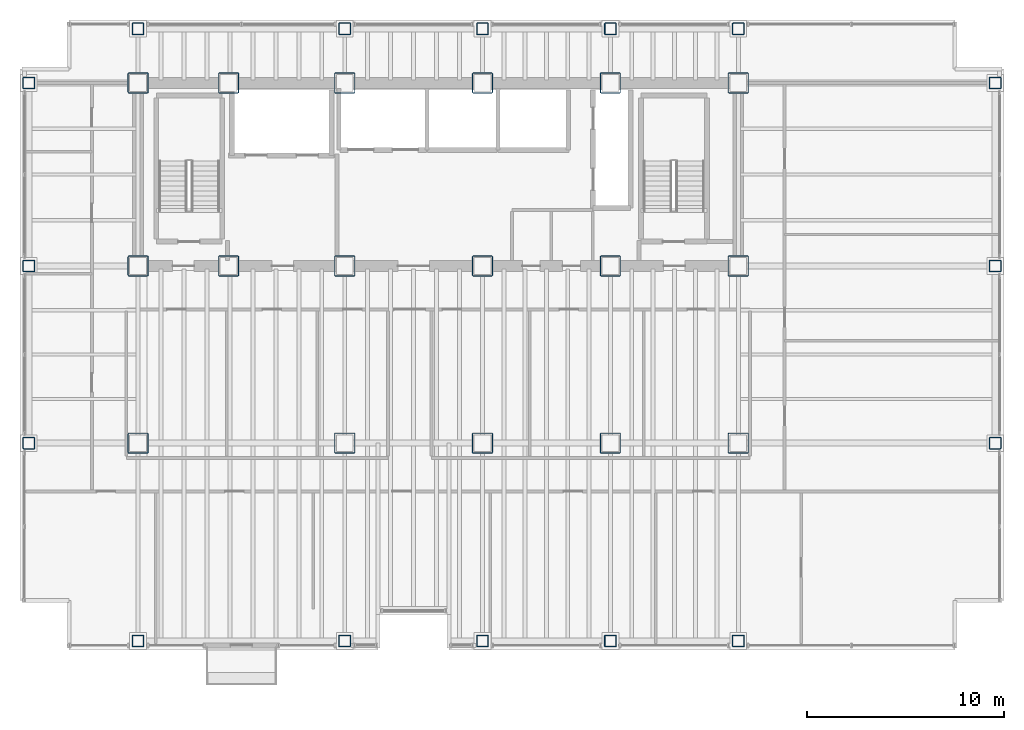
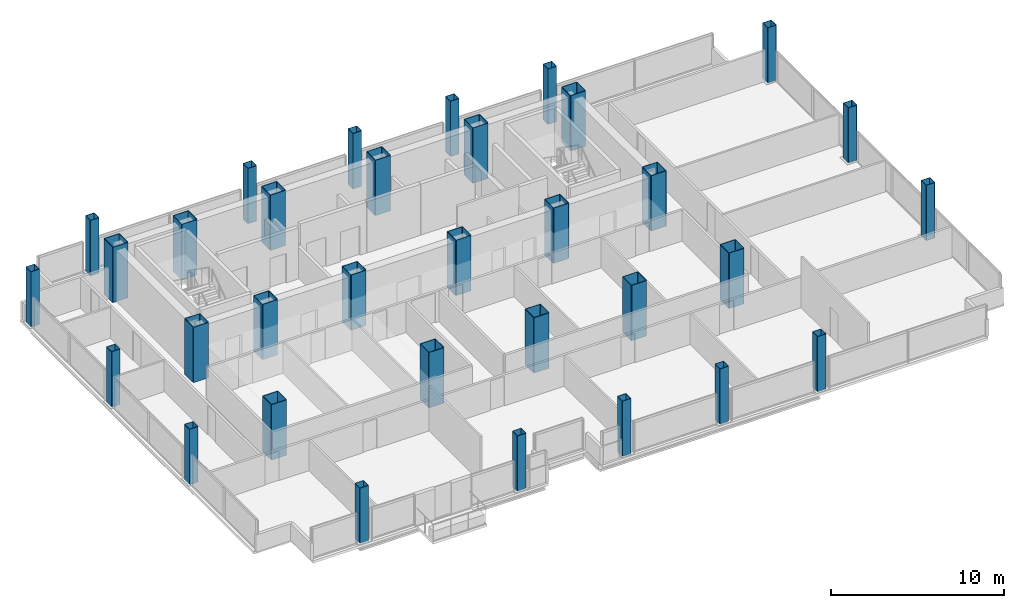
# One storey, part 1 of 21: 33 columns.
"""IFC4 building model written with IfcOpenShell, lengths in metres."""

import ifcopenshell
import ifcopenshell.guid

model = None  # the IFC model being written
_history = None  # IfcOwnerHistory: only IFC2X3 demands one
_inside = {}  # id of a spatial element -> (the spatial element, [elements in it])
_under = {}  # id of a project, library or spatial element -> (it, [spatial elements below it])
_declared = {}  # id of a project -> (the project, [libraries it declares])
_typed = {}  # id of a type object -> (the type object, [elements of that type])
_made_of = {}  # id of a material, layer set ... -> (it, [elements and type objects made of it])


def new_model(schema):
    """Start an empty IFC model of exactly this schema.

    Asked for "IFC4X3", IfcOpenShell would pick the latest addendum, in which some entities
    have other attributes; the version numbers below select the first issue.
    IFC2X3 requires an IfcOwnerHistory on every rooted entity: one is made here for all.
    """
    global model, _history
    if schema == "IFC4X3":
        model = ifcopenshell.file(schema_version=(4, 3, 0, 0))
    else:
        model = ifcopenshell.file(schema=schema)
    _inside.clear()
    _under.clear()
    _declared.clear()
    _typed.clear()
    _made_of.clear()
    _history = None
    if model.schema == "IFC2X3":
        org = make("IfcOrganization", Name="unknown")
        user = make(
            "IfcPersonAndOrganization",
            ThePerson=make("IfcPerson", FamilyName="unknown"),
            TheOrganization=org,
        )
        app = make(
            "IfcApplication",
            ApplicationDeveloper=org,
            Version="unknown",
            ApplicationFullName="unknown",
            ApplicationIdentifier="unknown",
        )
        _history = make(
            "IfcOwnerHistory",
            OwningUser=user,
            OwningApplication=app,
            ChangeAction="ADDED",
            CreationDate=0,
        )
    return model


def make(cls, **values):
    """One entity of the class cls with the attributes given. An attribute that is None is left unset."""
    return model.create_entity(
        cls, **{name: value for name, value in values.items() if value is not None}
    )


def rooted(cls, **values):
    """An entity with a GlobalId (a new one), such as an element, a storey or a relation."""
    return make(cls, GlobalId=ifcopenshell.guid.new(), OwnerHistory=_history, **values)


def si_unit(unit_type, name, prefix=None):
    """IfcSIUnit, for example si_unit("LENGTHUNIT", "METRE", prefix="MILLI")."""
    return make("IfcSIUnit", UnitType=unit_type, Prefix=prefix, Name=name)


def assignment(units):
    """IfcUnitAssignment: the units of a project."""
    return None if units is None else make("IfcUnitAssignment", Units=units)


def point(xyz):
    """IfcCartesianPoint."""
    return None if xyz is None else make("IfcCartesianPoint", Coordinates=xyz)


def direction(xyz):
    """IfcDirection."""
    return None if xyz is None else make("IfcDirection", DirectionRatios=xyz)


def frame(location, z_axis=None, x_axis=None):
    """IfcAxis2Placement3D, a coordinate frame: its origin and axes. An axis left out is left unset."""
    return make(
        "IfcAxis2Placement3D",
        Location=point(location),
        Axis=direction(z_axis),
        RefDirection=direction(x_axis),
    )


def frame_2d(location, x_axis=None):
    """IfcAxis2Placement2D, a coordinate frame in the plane: its origin and x axis."""
    return make(
        "IfcAxis2Placement2D", Location=point(location), RefDirection=direction(x_axis)
    )


def origin():
    """The frame at (0, 0, 0) with its axes left unset."""
    return frame((0.0, 0.0, 0.0))


def origin_2d():
    """The frame at (0, 0) in the plane with its x axis left unset."""
    return frame_2d((0.0, 0.0))


def place(relative_to, where):
    """IfcLocalPlacement: puts the frame where relative to a parent placement (None: the world)."""
    return make(
        "IfcLocalPlacement", PlacementRelTo=relative_to, RelativePlacement=where
    )


def context(
    kind, dimensions, precision=None, world=None, true_north=None, identifier=None
):
    """IfcGeometricRepresentationContext, for example the 3D "Model" context."""
    return make(
        "IfcGeometricRepresentationContext",
        ContextIdentifier=identifier,
        ContextType=kind,
        CoordinateSpaceDimension=dimensions,
        Precision=precision,
        WorldCoordinateSystem=world,
        TrueNorth=true_north,
    )


def subcontext(parent, identifier, kind, view, scale=None):
    """IfcGeometricRepresentationSubContext, for example "Body" below "Model"."""
    return make(
        "IfcGeometricRepresentationSubContext",
        ContextIdentifier=identifier,
        ContextType=kind,
        ParentContext=parent,
        TargetScale=scale,
        TargetView=view,
    )


def project(units=None, contexts=None):
    """IfcProject with its units and contexts."""
    return rooted(
        "IfcProject",
        Name="project",
        RepresentationContexts=contexts,
        UnitsInContext=assignment(units),
    )


def spatial(cls, under=None, at=None, **own):
    """A site, building, storey or space (cls), placed at a placement, below another one or the project."""
    s = rooted(cls, ObjectPlacement=at, **own)
    if under is not None:
        _under.setdefault(under.id(), (under, []))[1].append(s)
    return s


def profile(cls, at=None, kind="AREA", **sizes):
    """A parametric profile (cls). Its sizes go by their IFC names, for example OverallWidth=200.0."""
    return make(cls, ProfileType=kind, Position=at, **sizes)


def hollow_rectangle(**sizes):
    """IfcRectangleHollowProfileDef."""
    return profile("IfcRectangleHollowProfileDef", **sizes)


def extrude(swept, where, along, depth):
    """IfcExtrudedAreaSolid: the profile swept, set in the frame where, extruded along a direction by depth."""
    return make(
        "IfcExtrudedAreaSolid",
        SweptArea=swept,
        Position=where,
        ExtrudedDirection=direction(along),
        Depth=depth,
    )


def shape(context_of_items, identifier, shape_type, items):
    """IfcShapeRepresentation: the items that make up one representation, for example the "Body"."""
    return make(
        "IfcShapeRepresentation",
        ContextOfItems=context_of_items,
        RepresentationIdentifier=identifier,
        RepresentationType=shape_type,
        Items=items,
    )


def material(Name=None, Category=None):
    """IfcMaterial."""
    return make("IfcMaterial", Name=Name, Category=Category)


def material_profile(
    of_material, cross_section, Name=None, Category=None, Priority=None
):
    """IfcMaterialProfile: a cross section and its material."""
    return make(
        "IfcMaterialProfile",
        Name=Name,
        Material=of_material,
        Profile=cross_section,
        Priority=Priority,
        Category=Category,
    )


def profile_set(profiles, Name=None, composite=None):
    """IfcMaterialProfileSet."""
    return make(
        "IfcMaterialProfileSet",
        Name=Name,
        MaterialProfiles=profiles,
        CompositeProfile=composite,
    )


def made_of(thing, what):
    """Note that an element or type object is made of a material, layer set ...; save() writes the relation."""
    if what is not None:
        _made_of.setdefault(what.id(), (what, []))[1].append(thing)
    return thing


def type_object(cls, material=None, **own):
    """A type object (cls), such as IfcWallType, which elements share."""
    return made_of(rooted(cls, **own), material)


def element(
    cls,
    number,
    at=None,
    inside=None,
    cuts=None,
    type_object=None,
    material=None,
    context=None,
    identifier="Body",
    shape_type=None,
    held_by="IfcProductDefinitionShape",
    body=None,
    shapes=None,
    **own,
):
    """One element of the class cls, such as IfcWall. Its Tag is "e" and its number.

    at: its placement. inside: the storey or other place that contains it. cuts: it is an
    opening in that element (IfcRelVoidsElement). A single representation is given by context,
    identifier, shape_type and body (its items); several are given by shapes. held_by: the class
    of the entity that holds the representations. save() writes the other relations.
    """
    e = rooted(cls, Tag="e%d" % number, ObjectPlacement=at, **own)
    if body is not None:
        shapes = [shape(context, identifier, shape_type, body)]
    if shapes is not None:
        e.Representation = make(held_by, Representations=shapes)
    if inside is not None:
        _inside.setdefault(inside.id(), (inside, []))[1].append(e)
    if cuts is not None:
        rooted(
            "IfcRelVoidsElement", RelatingBuildingElement=cuts, RelatedOpeningElement=e
        )
    if type_object is not None:
        _typed.setdefault(type_object.id(), (type_object, []))[1].append(e)
    return made_of(e, material)


def aggregate(whole, parts):
    """IfcRelAggregates: a whole, such as a stair, and the parts it consists of."""
    return rooted("IfcRelAggregates", RelatingObject=whole, RelatedObjects=parts)


def save(model, path):
    """Write the relations noted so far, then the file.

    IfcRelAggregates (storeys below a building ...), IfcRelContainedInSpatialStructure (elements
    in a storey), IfcRelDefinesByType, IfcRelAssociatesMaterial and IfcRelDeclares: one each for
    every whole, place, type object, material and project.
    """
    for whole, parts in _under.values():
        aggregate(whole, parts)
    for where, things in _inside.values():
        rooted(
            "IfcRelContainedInSpatialStructure",
            RelatedElements=things,
            RelatingStructure=where,
        )
    for kind, things in _typed.values():
        rooted("IfcRelDefinesByType", RelatedObjects=things, RelatingType=kind)
    for what, things in _made_of.values():
        rooted("IfcRelAssociatesMaterial", RelatedObjects=things, RelatingMaterial=what)
    for by, libraries in _declared.values():
        rooted("IfcRelDeclares", RelatingContext=by, RelatedDefinitions=libraries)
    model.write(path)


model = new_model("IFC4")

# Units and contexts
model_context = context("Model", 3, precision=1e-05, world=origin(), true_north=direction((0.0, 1.0)))
body_context = subcontext(model_context, "Body", "Model", "MODEL_VIEW")
ifc_project = project(units=[si_unit("LENGTHUNIT", "METRE"), si_unit("AREAUNIT", "SQUARE_METRE"), si_unit("VOLUMEUNIT", "CUBIC_METRE"), si_unit("PLANEANGLEUNIT", "RADIAN"), si_unit("MASSUNIT", "GRAM", prefix="KILO")], contexts=[model_context])

# Site, building, storey
site_placement = place(None, origin())
site = spatial("IfcSite", under=ifc_project, at=site_placement, CompositionType="ELEMENT")
building_placement = place(site_placement, origin())
building = spatial("IfcBuilding", under=site, at=building_placement, Name="Noeulbin Bourse Tower", CompositionType="ELEMENT")
storey_placement = place(building_placement, frame((0.0, 0.0, 96.699951171875)))
storey = spatial("IfcBuildingStorey", under=building, at=storey_placement, Name="L24", CompositionType="ELEMENT", Elevation=96.699951171875)

# Columns
ifc_material = material(Name="Steel S460", Category="steel")
ifc_material_profile_1 = material_profile(ifc_material, hollow_rectangle(XDim=0.60009765625, YDim=0.60009765625, WallThickness=0.02587890625, InnerFilletRadius=0.012939453125, OuterFilletRadius=0.0390625, at=origin_2d()), Name="BOX-600x600x26", Category="LoadBearing")
ifc_profile_set_1 = profile_set([ifc_material_profile_1], Name="Steel S460")
column_type_1 = type_object("IfcColumnType", Name="COL-PER-Z1", PredefinedType="COLUMN", material=ifc_profile_set_1)
for number, where, z_axis, x_axis, name in (
    (1, (7.949951171875, 20.0, 0.0), (0.0, 0.0, 1.0), (1.0, 0.0, 0.0), "Tower Perimeter Column COL-PER-Z1 01"),
    (2, (7.949951171875, 29.0, 0.0), (0.0, 0.0, 1.0), (1.0, 0.0, 0.0), "Tower Perimeter Column COL-PER-Z1 02"),
    (3, (7.949951171875, 38.300048828125, 0.0), (0.0, 0.0, 1.0), (1.0, 0.0, 0.0), "Tower Perimeter Column COL-PER-Z1 03"),
    (4, (13.5, 9.949951171875, 0.0), (0.0, 0.0, 1.0), (1.0, 0.0, 0.0), "Tower Perimeter Column COL-PER-Z1 04"),
    (5, (13.5, 41.050048828125, 0.0), (0.0, 0.0, 1.0), (1.0, 0.0, 0.0), "Tower Perimeter Column COL-PER-Z1 05"),
    (6, (24.0, 9.949951171875, 0.0), (0.0, 0.0, 1.0), (1.0, 0.0, 0.0), "Tower Perimeter Column COL-PER-Z1 06"),
    (7, (24.0, 41.050048828125, 0.0), (0.0, 0.0, 1.0), (1.0, 0.0, 0.0), "Tower Perimeter Column COL-PER-Z1 07"),
    (8, (31.0, 9.949951171875, 0.0), (0.0, 0.0, 1.0), (1.0, 0.0, 0.0), "Tower Perimeter Column COL-PER-Z1 08"),
    (9, (31.0, 41.050048828125, 0.0), (0.0, 0.0, 1.0), (1.0, 0.0, 0.0), "Tower Perimeter Column COL-PER-Z1 09"),
    (10, (37.5, 9.949951171875, 0.0), (0.0, 0.0, 1.0), (1.0, 0.0, 0.0), "Tower Perimeter Column COL-PER-Z1 10"),
    (11, (37.5, 41.050048828125, 0.0), (0.0, 0.0, 1.0), (1.0, 0.0, 0.0), "Tower Perimeter Column COL-PER-Z1 11"),
    (12, (44.0, 9.949951171875, 0.0), (0.0, 0.0, 1.0), (1.0, 0.0, 0.0), "Tower Perimeter Column COL-PER-Z1 12"),
    (13, (44.0, 41.050048828125, 0.0), (0.0, 0.0, 1.0), (1.0, 0.0, 0.0), "Tower Perimeter Column COL-PER-Z1 13"),
    (14, (57.050048828125, 20.0, 0.0), (0.0, 0.0, 1.0), (1.0, 0.0, 0.0), "Tower Perimeter Column COL-PER-Z1 14"),
    (15, (57.050048828125, 29.0, 0.0), (0.0, 0.0, 1.0), (1.0, 0.0, 0.0), "Tower Perimeter Column COL-PER-Z1 15"),
    (16, (57.050048828125, 38.300048828125, 0.0), (0.0, 0.0, 1.0), (1.0, 0.0, 0.0), "Tower Perimeter Column COL-PER-Z1 16"),
):
    element("IfcColumn", number, at=place(storey_placement, frame(where, z_axis=z_axis, x_axis=x_axis)), inside=storey, type_object=column_type_1, Name=name, PredefinedType="COLUMN", context=body_context, shape_type="SweptSolid", body=[
        extrude(hollow_rectangle(XDim=0.60009765625, YDim=0.60009765625, WallThickness=0.02587890625, InnerFilletRadius=0.012939453125, OuterFilletRadius=0.0390625, at=origin_2d()), origin(), (0.0, 0.0, 1.0), 3.900146484375),
    ])
ifc_material_profile_2 = material_profile(ifc_material, hollow_rectangle(XDim=1.050048828125, YDim=1.050048828125, WallThickness=0.0380859375, InnerFilletRadius=0.01904296875, OuterFilletRadius=0.056884765625, at=origin_2d()), Name="BOX-1050x1050x38", Category="LoadBearing")
ifc_profile_set_2 = profile_set([ifc_material_profile_2], Name="Steel S460")
column_type_2 = type_object("IfcColumnType", Name="COL-TRK-Z1", PredefinedType="COLUMN", material=ifc_profile_set_2)
for number, where, z_axis, x_axis, name in (
    (17, (13.5, 29.0, 0.0), (0.0, 0.0, 1.0), (1.0, 0.0, 0.0), "Tower Trunk Mega-Column COL-TRK-Z1 01"),
    (18, (13.5, 38.300048828125, 0.0), (0.0, 0.0, 1.0), (1.0, 0.0, 0.0), "Tower Trunk Mega-Column COL-TRK-Z1 02"),
    (19, (18.10009765625, 29.0, 0.0), (0.0, 0.0, 1.0), (1.0, 0.0, 0.0), "Tower Trunk Mega-Column COL-TRK-Z1 03"),
    (20, (18.10009765625, 38.300048828125, 0.0), (0.0, 0.0, 1.0), (1.0, 0.0, 0.0), "Tower Trunk Mega-Column COL-TRK-Z1 04"),
    (21, (24.0, 29.0, 0.0), (0.0, 0.0, 1.0), (1.0, 0.0, 0.0), "Tower Trunk Mega-Column COL-TRK-Z1 05"),
    (22, (24.0, 38.300048828125, 0.0), (0.0, 0.0, 1.0), (1.0, 0.0, 0.0), "Tower Trunk Mega-Column COL-TRK-Z1 06"),
    (23, (31.0, 29.0, 0.0), (0.0, 0.0, 1.0), (1.0, 0.0, 0.0), "Tower Trunk Mega-Column COL-TRK-Z1 07"),
    (24, (31.0, 38.300048828125, 0.0), (0.0, 0.0, 1.0), (1.0, 0.0, 0.0), "Tower Trunk Mega-Column COL-TRK-Z1 08"),
    (25, (37.5, 29.0, 0.0), (0.0, 0.0, 1.0), (1.0, 0.0, 0.0), "Tower Trunk Mega-Column COL-TRK-Z1 09"),
    (26, (37.5, 38.300048828125, 0.0), (0.0, 0.0, 1.0), (1.0, 0.0, 0.0), "Tower Trunk Mega-Column COL-TRK-Z1 10"),
    (27, (44.0, 29.0, 0.0), (0.0, 0.0, 1.0), (1.0, 0.0, 0.0), "Tower Trunk Mega-Column COL-TRK-Z1 11"),
    (28, (44.0, 38.300048828125, 0.0), (0.0, 0.0, 1.0), (1.0, 0.0, 0.0), "Tower Trunk Mega-Column COL-TRK-Z1 12"),
    (29, (13.5, 20.0, 0.0), (0.0, 0.0, 1.0), (1.0, 0.0, 0.0), "Tower Trunk Mega-Column COL-TRK-Z1 13"),
    (30, (24.0, 20.0, 0.0), (0.0, 0.0, 1.0), (1.0, 0.0, 0.0), "Tower Trunk Mega-Column COL-TRK-Z1 14"),
    (31, (31.0, 20.0, 0.0), (0.0, 0.0, 1.0), (1.0, 0.0, 0.0), "Tower Trunk Mega-Column COL-TRK-Z1 15"),
    (32, (37.5, 20.0, 0.0), (0.0, 0.0, 1.0), (1.0, 0.0, 0.0), "Tower Trunk Mega-Column COL-TRK-Z1 16"),
    (33, (44.0, 20.0, 0.0), (0.0, 0.0, 1.0), (1.0, 0.0, 0.0), "Tower Trunk Mega-Column COL-TRK-Z1 17"),
):
    element("IfcColumn", number, at=place(storey_placement, frame(where, z_axis=z_axis, x_axis=x_axis)), inside=storey, type_object=column_type_2, Name=name, PredefinedType="COLUMN", context=body_context, shape_type="SweptSolid", body=[
        extrude(hollow_rectangle(XDim=1.050048828125, YDim=1.050048828125, WallThickness=0.0380859375, InnerFilletRadius=0.01904296875, OuterFilletRadius=0.056884765625, at=origin_2d()), origin(), (0.0, 0.0, 1.0), 3.900146484375),
    ])

save(model, "model.ifc")
